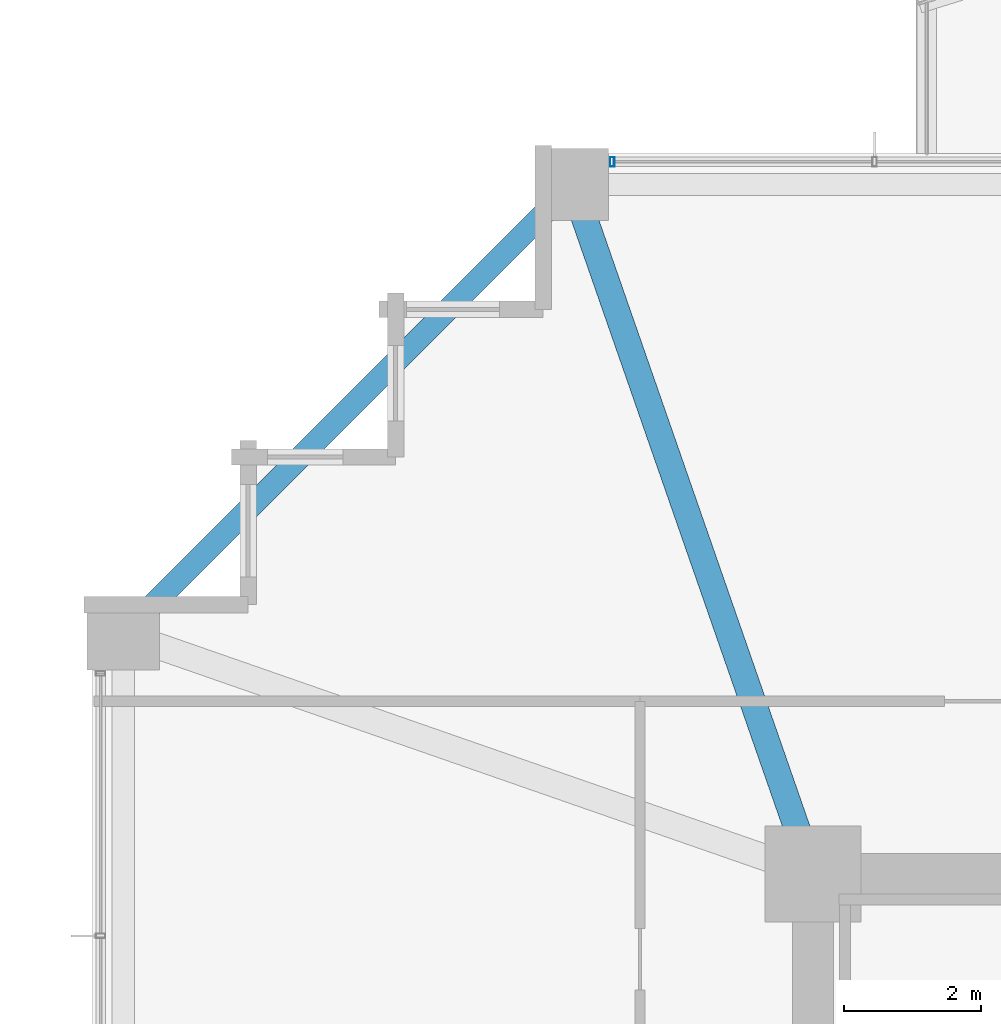
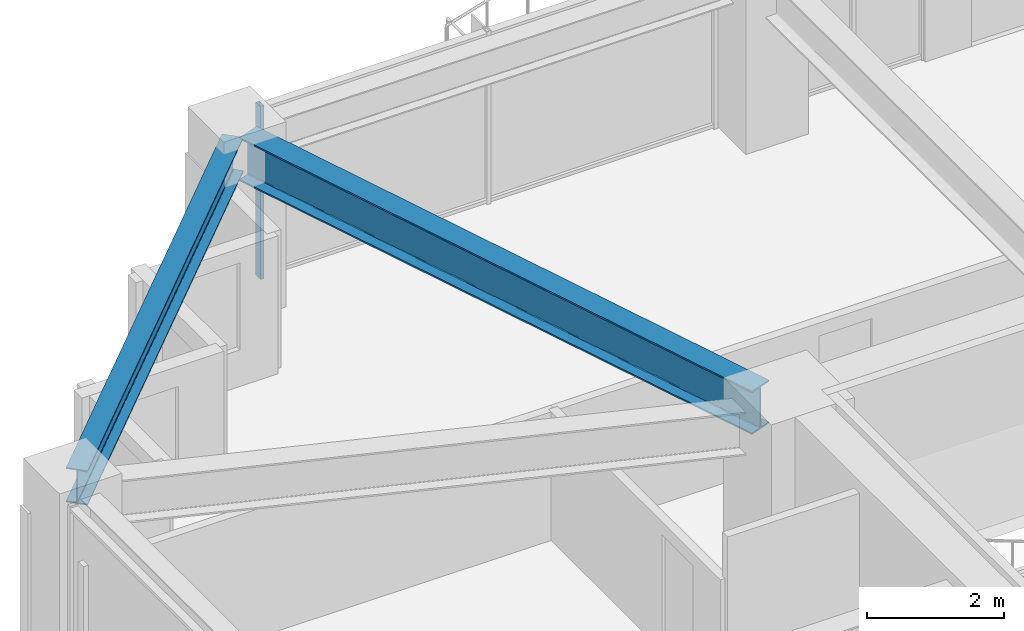
# One storey, part 19 of 38: 2 beams, 1 member, 1 element without a shape of its own.
"""IFC4 building model written with IfcOpenShell, lengths in metres."""

import ifcopenshell
import ifcopenshell.guid

model = None  # the IFC model being written
_history = None  # IfcOwnerHistory: only IFC2X3 demands one
_inside = {}  # id of a spatial element -> (the spatial element, [elements in it])
_under = {}  # id of a project, library or spatial element -> (it, [spatial elements below it])
_declared = {}  # id of a project -> (the project, [libraries it declares])
_typed = {}  # id of a type object -> (the type object, [elements of that type])
_made_of = {}  # id of a material, layer set ... -> (it, [elements and type objects made of it])


def new_model(schema):
    """Start an empty IFC model of exactly this schema.

    Asked for "IFC4X3", IfcOpenShell would pick the latest addendum, in which some entities
    have other attributes; the version numbers below select the first issue.
    IFC2X3 requires an IfcOwnerHistory on every rooted entity: one is made here for all.
    """
    global model, _history
    if schema == "IFC4X3":
        model = ifcopenshell.file(schema_version=(4, 3, 0, 0))
    else:
        model = ifcopenshell.file(schema=schema)
    _inside.clear()
    _under.clear()
    _declared.clear()
    _typed.clear()
    _made_of.clear()
    _history = None
    if model.schema == "IFC2X3":
        org = make("IfcOrganization", Name="unknown")
        user = make(
            "IfcPersonAndOrganization",
            ThePerson=make("IfcPerson", FamilyName="unknown"),
            TheOrganization=org,
        )
        app = make(
            "IfcApplication",
            ApplicationDeveloper=org,
            Version="unknown",
            ApplicationFullName="unknown",
            ApplicationIdentifier="unknown",
        )
        _history = make(
            "IfcOwnerHistory",
            OwningUser=user,
            OwningApplication=app,
            ChangeAction="ADDED",
            CreationDate=0,
        )
    return model


def make(cls, **values):
    """One entity of the class cls with the attributes given. An attribute that is None is left unset."""
    return model.create_entity(
        cls, **{name: value for name, value in values.items() if value is not None}
    )


def rooted(cls, **values):
    """An entity with a GlobalId (a new one), such as an element, a storey or a relation."""
    return make(cls, GlobalId=ifcopenshell.guid.new(), OwnerHistory=_history, **values)


def si_unit(unit_type, name, prefix=None):
    """IfcSIUnit, for example si_unit("LENGTHUNIT", "METRE", prefix="MILLI")."""
    return make("IfcSIUnit", UnitType=unit_type, Prefix=prefix, Name=name)


def assignment(units):
    """IfcUnitAssignment: the units of a project."""
    return None if units is None else make("IfcUnitAssignment", Units=units)


def point(xyz):
    """IfcCartesianPoint."""
    return None if xyz is None else make("IfcCartesianPoint", Coordinates=xyz)


def direction(xyz):
    """IfcDirection."""
    return None if xyz is None else make("IfcDirection", DirectionRatios=xyz)


def frame(location, z_axis=None, x_axis=None):
    """IfcAxis2Placement3D, a coordinate frame: its origin and axes. An axis left out is left unset."""
    return make(
        "IfcAxis2Placement3D",
        Location=point(location),
        Axis=direction(z_axis),
        RefDirection=direction(x_axis),
    )


def frame_2d(location, x_axis=None):
    """IfcAxis2Placement2D, a coordinate frame in the plane: its origin and x axis."""
    return make(
        "IfcAxis2Placement2D", Location=point(location), RefDirection=direction(x_axis)
    )


def origin():
    """The frame at (0, 0, 0) with its axes left unset."""
    return frame((0.0, 0.0, 0.0))


def origin_2d():
    """The frame at (0, 0) in the plane with its x axis left unset."""
    return frame_2d((0.0, 0.0))


def place(relative_to, where):
    """IfcLocalPlacement: puts the frame where relative to a parent placement (None: the world)."""
    return make(
        "IfcLocalPlacement", PlacementRelTo=relative_to, RelativePlacement=where
    )


def context(
    kind, dimensions, precision=None, world=None, true_north=None, identifier=None
):
    """IfcGeometricRepresentationContext, for example the 3D "Model" context."""
    return make(
        "IfcGeometricRepresentationContext",
        ContextIdentifier=identifier,
        ContextType=kind,
        CoordinateSpaceDimension=dimensions,
        Precision=precision,
        WorldCoordinateSystem=world,
        TrueNorth=true_north,
    )


def subcontext(parent, identifier, kind, view, scale=None):
    """IfcGeometricRepresentationSubContext, for example "Body" below "Model"."""
    return make(
        "IfcGeometricRepresentationSubContext",
        ContextIdentifier=identifier,
        ContextType=kind,
        ParentContext=parent,
        TargetScale=scale,
        TargetView=view,
    )


def project(units=None, contexts=None):
    """IfcProject with its units and contexts."""
    return rooted(
        "IfcProject",
        Name="project",
        RepresentationContexts=contexts,
        UnitsInContext=assignment(units),
    )


def spatial(cls, under=None, at=None, **own):
    """A site, building, storey or space (cls), placed at a placement, below another one or the project."""
    s = rooted(cls, ObjectPlacement=at, **own)
    if under is not None:
        _under.setdefault(under.id(), (under, []))[1].append(s)
    return s


def profile(cls, at=None, kind="AREA", **sizes):
    """A parametric profile (cls). Its sizes go by their IFC names, for example OverallWidth=200.0."""
    return make(cls, ProfileType=kind, Position=at, **sizes)


def hollow_rectangle(**sizes):
    """IfcRectangleHollowProfileDef."""
    return profile("IfcRectangleHollowProfileDef", **sizes)


def i_section(**sizes):
    """IfcIShapeProfileDef."""
    return profile("IfcIShapeProfileDef", **sizes)


def extrude(swept, where, along, depth):
    """IfcExtrudedAreaSolid: the profile swept, set in the frame where, extruded along a direction by depth."""
    return make(
        "IfcExtrudedAreaSolid",
        SweptArea=swept,
        Position=where,
        ExtrudedDirection=direction(along),
        Depth=depth,
    )


def shape(context_of_items, identifier, shape_type, items):
    """IfcShapeRepresentation: the items that make up one representation, for example the "Body"."""
    return make(
        "IfcShapeRepresentation",
        ContextOfItems=context_of_items,
        RepresentationIdentifier=identifier,
        RepresentationType=shape_type,
        Items=items,
    )


def material(Name=None, Category=None):
    """IfcMaterial."""
    return make("IfcMaterial", Name=Name, Category=Category)


def material_profile(
    of_material, cross_section, Name=None, Category=None, Priority=None
):
    """IfcMaterialProfile: a cross section and its material."""
    return make(
        "IfcMaterialProfile",
        Name=Name,
        Material=of_material,
        Profile=cross_section,
        Priority=Priority,
        Category=Category,
    )


def profile_set(profiles, Name=None, composite=None):
    """IfcMaterialProfileSet."""
    return make(
        "IfcMaterialProfileSet",
        Name=Name,
        MaterialProfiles=profiles,
        CompositeProfile=composite,
    )


def made_of(thing, what):
    """Note that an element or type object is made of a material, layer set ...; save() writes the relation."""
    if what is not None:
        _made_of.setdefault(what.id(), (what, []))[1].append(thing)
    return thing


def type_object(cls, material=None, **own):
    """A type object (cls), such as IfcWallType, which elements share."""
    return made_of(rooted(cls, **own), material)


def element(
    cls,
    number,
    at=None,
    inside=None,
    cuts=None,
    type_object=None,
    material=None,
    context=None,
    identifier="Body",
    shape_type=None,
    held_by="IfcProductDefinitionShape",
    body=None,
    shapes=None,
    **own,
):
    """One element of the class cls, such as IfcWall. Its Tag is "e" and its number.

    at: its placement. inside: the storey or other place that contains it. cuts: it is an
    opening in that element (IfcRelVoidsElement). A single representation is given by context,
    identifier, shape_type and body (its items); several are given by shapes. held_by: the class
    of the entity that holds the representations. save() writes the other relations.
    """
    e = rooted(cls, Tag="e%d" % number, ObjectPlacement=at, **own)
    if body is not None:
        shapes = [shape(context, identifier, shape_type, body)]
    if shapes is not None:
        e.Representation = make(held_by, Representations=shapes)
    if inside is not None:
        _inside.setdefault(inside.id(), (inside, []))[1].append(e)
    if cuts is not None:
        rooted(
            "IfcRelVoidsElement", RelatingBuildingElement=cuts, RelatedOpeningElement=e
        )
    if type_object is not None:
        _typed.setdefault(type_object.id(), (type_object, []))[1].append(e)
    return made_of(e, material)


def aggregate(whole, parts):
    """IfcRelAggregates: a whole, such as a stair, and the parts it consists of."""
    return rooted("IfcRelAggregates", RelatingObject=whole, RelatedObjects=parts)


def save(model, path):
    """Write the relations noted so far, then the file.

    IfcRelAggregates (storeys below a building ...), IfcRelContainedInSpatialStructure (elements
    in a storey), IfcRelDefinesByType, IfcRelAssociatesMaterial and IfcRelDeclares: one each for
    every whole, place, type object, material and project.
    """
    for whole, parts in _under.values():
        aggregate(whole, parts)
    for where, things in _inside.values():
        rooted(
            "IfcRelContainedInSpatialStructure",
            RelatedElements=things,
            RelatingStructure=where,
        )
    for kind, things in _typed.values():
        rooted("IfcRelDefinesByType", RelatedObjects=things, RelatingType=kind)
    for what, things in _made_of.values():
        rooted("IfcRelAssociatesMaterial", RelatedObjects=things, RelatingMaterial=what)
    for by, libraries in _declared.values():
        rooted("IfcRelDeclares", RelatingContext=by, RelatedDefinitions=libraries)
    model.write(path)


model = new_model("IFC4")

# Units and contexts
model_context = context("Model", 3, precision=1e-05, world=origin(), true_north=direction((0.0, 1.0)))
body_context = subcontext(model_context, "Body", "Model", "MODEL_VIEW")
ifc_project = project(units=[si_unit("LENGTHUNIT", "METRE"), si_unit("AREAUNIT", "SQUARE_METRE"), si_unit("VOLUMEUNIT", "CUBIC_METRE"), si_unit("PLANEANGLEUNIT", "RADIAN"), si_unit("MASSUNIT", "GRAM", prefix="KILO")], contexts=[model_context])

# Site, building, storey
site_placement = place(None, origin())
site = spatial("IfcSite", under=ifc_project, at=site_placement, CompositionType="ELEMENT")
building_placement = place(site_placement, origin())
building = spatial("IfcBuilding", under=site, at=building_placement, Name="Kolvaren Belvedere", CompositionType="ELEMENT")
storey_placement = place(building_placement, frame((0.0, 0.0, 72.199951171875)))
storey = spatial("IfcBuildingStorey", under=building, at=storey_placement, Name="L20", CompositionType="ELEMENT", Elevation=72.199951171875)

# Beams
ifc_material_1 = material(Name="Structural steel ASTM A992 Grade 50", Category="steel")
ifc_material_profile_1 = material_profile(ifc_material_1, i_section(OverallWidth=0.381103515625, OverallDepth=0.77294921875, WebThickness=0.0166015625, FlangeThickness=0.027099609375, FilletRadius=0.02392578125, at=origin_2d()), Name="W30X173")
ifc_profile_set_1 = profile_set([ifc_material_profile_1], Name="Structural steel ASTM A992 Grade 50")
beam_type_1 = type_object("IfcBeamType", Name="BM-GIRD-W30X173", PredefinedType="BEAM", material=ifc_profile_set_1)
beam_1_placement = place(storey_placement, frame((-10.080810546875, 10.41943359375, 2.693603515625), z_axis=(-0.328880894453, 0.944371408538, 0.0), x_axis=(-0.944371408538, -0.328880894453, 0.0)))
element("IfcBeam", 1, at=beam_1_placement, inside=storey, type_object=beam_type_1, Name="L20 Corner Core-to-Perimeter Girder CC4-N1", PredefinedType="BEAM", context=body_context, shape_type="SweptSolid", body=[
    extrude(i_section(OverallWidth=0.381103515625, OverallDepth=0.77294921875, WebThickness=0.0166015625, FlangeThickness=0.027099609375, FilletRadius=0.02392578125, at=origin_2d()), origin(), (0.0, 0.0, 1.0), 9.882080078125),
])
ifc_material_2 = material(Name="Structural steel ASTM A992 Grade 50", Category="steel")
ifc_material_profile_2 = material_profile(ifc_material_2, i_section(OverallWidth=0.324951171875, OverallDepth=0.615966796875, WebThickness=0.013916015625, FlangeThickness=0.021484375, FilletRadius=0.02001953125, at=origin_2d()), Name="W24X117")
ifc_profile_set_2 = profile_set([ifc_material_profile_2], Name="Structural steel ASTM A992 Grade 50")
beam_type_2 = type_object("IfcBeamType", Name="BM-SPAN-W24X117", PredefinedType="SPANDREL", material=ifc_profile_set_2)
beam_2_placement = place(storey_placement, frame((-13.567138671875, 19.782958984375, 2.77197265625), z_axis=(-0.707106781187, -0.707106781187, 0.0), x_axis=(0.707106781187, -0.707106781187, 0.0)))
element("IfcBeam", 2, at=beam_2_placement, inside=storey, type_object=beam_type_2, Name="L20 Perimeter Spandrel N1-W4", PredefinedType="SPANDREL", context=body_context, shape_type="SweptSolid", body=[
    extrude(i_section(OverallWidth=0.324951171875, OverallDepth=0.615966796875, WebThickness=0.013916015625, FlangeThickness=0.021484375, FilletRadius=0.02001953125, at=origin_2d()), origin(), (0.0, 0.0, 1.0), 8.79052734375),
])

# Curtain wall, member
ifc_material_3 = material(Name="Anodised pale-metal aluminium AA 6063-T6", Category="aluminium")
curtain_wall_type = type_object("IfcCurtainWallType", Name="CW-Z2-MID", PredefinedType="NOTDEFINED", material=ifc_material_3)
curtain_wall_placement = place(storey_placement, origin())
curtain_wall = element("IfcCurtainWall", 3, at=curtain_wall_placement, inside=storey, type_object=curtain_wall_type, Name="L20 Unitised Curtain Wall FCW-L20-N1-B1", PredefinedType="NOTDEFINED")
ifc_material_4 = material(Name="Anodised pale-metal aluminium AA 6063-T6", Category="aluminium")
ifc_material_profile_3 = material_profile(ifc_material_4, hollow_rectangle(XDim=0.06494140625, YDim=0.139892578125, WallThickness=0.00390625, at=origin_2d()), Name="ALU-MUL-140X65")
ifc_profile_set_3 = profile_set([ifc_material_profile_3], Name="Anodised pale-metal aluminium AA 6063-T6")
member_type = type_object("IfcMemberType", Name="CW-MUL-140", PredefinedType="MULLION", material=ifc_profile_set_3)
member_placement = place(storey_placement, frame((-12.822509765625, 20.280029296875, 0.0), z_axis=(0.0, 0.0, 1.0), x_axis=(1.0, 0.0, 0.0)))
member = element("IfcMember", 4, at=member_placement, type_object=member_type, Name="FCW-L20-N1-B1 Unitised Mullion 1", PredefinedType="MULLION", context=body_context, shape_type="SweptSolid", body=[
    extrude(hollow_rectangle(XDim=0.06494140625, YDim=0.139892578125, WallThickness=0.00390625, at=origin_2d()), origin(), (0.0, 0.0, 1.0), 3.080078125),
])
aggregate(curtain_wall, [member])

save(model, "model.ifc")
